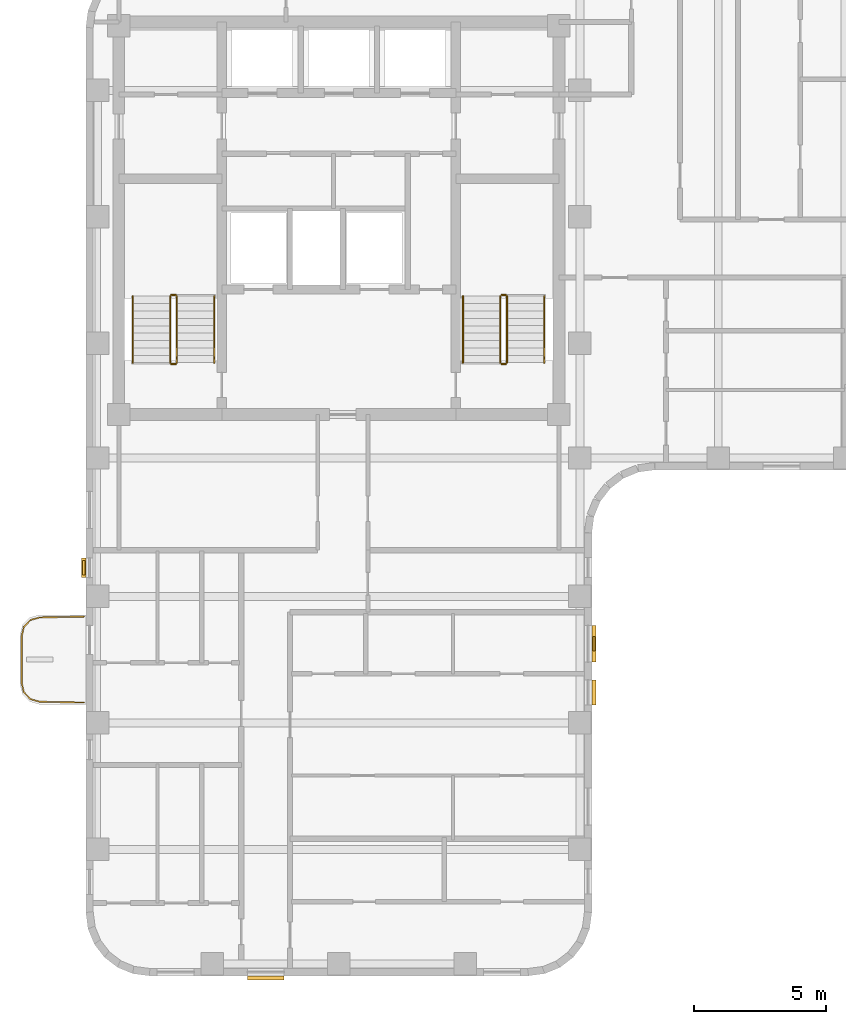
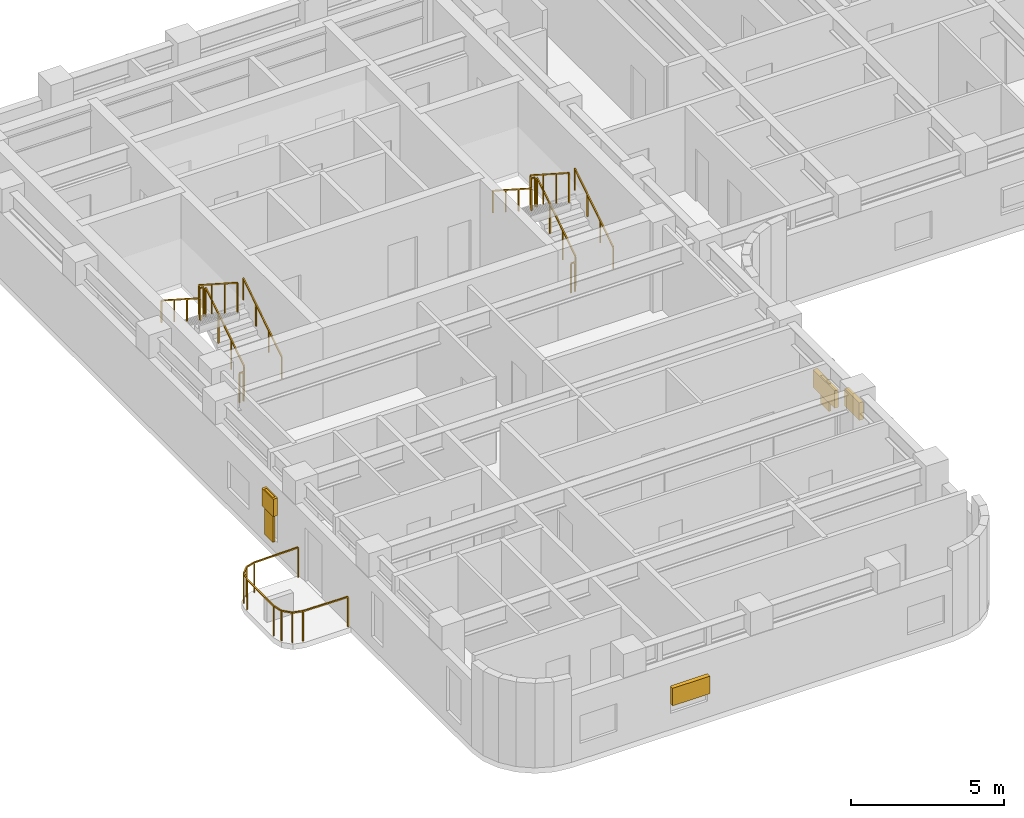
# One storey, part 8 of 10: 13 railings, 6 shading devices.
"""IFC4 building model written with IfcOpenShell, lengths in metres."""

import ifcopenshell
import ifcopenshell.guid

model = None  # the IFC model being written
_history = None  # IfcOwnerHistory: only IFC2X3 demands one
_inside = {}  # id of a spatial element -> (the spatial element, [elements in it])
_under = {}  # id of a project, library or spatial element -> (it, [spatial elements below it])
_declared = {}  # id of a project -> (the project, [libraries it declares])
_typed = {}  # id of a type object -> (the type object, [elements of that type])
_made_of = {}  # id of a material, layer set ... -> (it, [elements and type objects made of it])


def new_model(schema):
    """Start an empty IFC model of exactly this schema.

    Asked for "IFC4X3", IfcOpenShell would pick the latest addendum, in which some entities
    have other attributes; the version numbers below select the first issue.
    IFC2X3 requires an IfcOwnerHistory on every rooted entity: one is made here for all.
    """
    global model, _history
    if schema == "IFC4X3":
        model = ifcopenshell.file(schema_version=(4, 3, 0, 0))
    else:
        model = ifcopenshell.file(schema=schema)
    _inside.clear()
    _under.clear()
    _declared.clear()
    _typed.clear()
    _made_of.clear()
    _history = None
    if model.schema == "IFC2X3":
        org = make("IfcOrganization", Name="unknown")
        user = make(
            "IfcPersonAndOrganization",
            ThePerson=make("IfcPerson", FamilyName="unknown"),
            TheOrganization=org,
        )
        app = make(
            "IfcApplication",
            ApplicationDeveloper=org,
            Version="unknown",
            ApplicationFullName="unknown",
            ApplicationIdentifier="unknown",
        )
        _history = make(
            "IfcOwnerHistory",
            OwningUser=user,
            OwningApplication=app,
            ChangeAction="ADDED",
            CreationDate=0,
        )
    return model


def make(cls, **values):
    """One entity of the class cls with the attributes given. An attribute that is None is left unset."""
    return model.create_entity(
        cls, **{name: value for name, value in values.items() if value is not None}
    )


def rooted(cls, **values):
    """An entity with a GlobalId (a new one), such as an element, a storey or a relation."""
    return make(cls, GlobalId=ifcopenshell.guid.new(), OwnerHistory=_history, **values)


def si_unit(unit_type, name, prefix=None):
    """IfcSIUnit, for example si_unit("LENGTHUNIT", "METRE", prefix="MILLI")."""
    return make("IfcSIUnit", UnitType=unit_type, Prefix=prefix, Name=name)


def assignment(units):
    """IfcUnitAssignment: the units of a project."""
    return None if units is None else make("IfcUnitAssignment", Units=units)


def point(xyz):
    """IfcCartesianPoint."""
    return None if xyz is None else make("IfcCartesianPoint", Coordinates=xyz)


def direction(xyz):
    """IfcDirection."""
    return None if xyz is None else make("IfcDirection", DirectionRatios=xyz)


def frame(location, z_axis=None, x_axis=None):
    """IfcAxis2Placement3D, a coordinate frame: its origin and axes. An axis left out is left unset."""
    return make(
        "IfcAxis2Placement3D",
        Location=point(location),
        Axis=direction(z_axis),
        RefDirection=direction(x_axis),
    )


def frame_2d(location, x_axis=None):
    """IfcAxis2Placement2D, a coordinate frame in the plane: its origin and x axis."""
    return make(
        "IfcAxis2Placement2D", Location=point(location), RefDirection=direction(x_axis)
    )


def origin():
    """The frame at (0, 0, 0) with its axes left unset."""
    return frame((0.0, 0.0, 0.0))


def origin_2d():
    """The frame at (0, 0) in the plane with its x axis left unset."""
    return frame_2d((0.0, 0.0))


def place(relative_to, where):
    """IfcLocalPlacement: puts the frame where relative to a parent placement (None: the world)."""
    return make(
        "IfcLocalPlacement", PlacementRelTo=relative_to, RelativePlacement=where
    )


def context(
    kind, dimensions, precision=None, world=None, true_north=None, identifier=None
):
    """IfcGeometricRepresentationContext, for example the 3D "Model" context."""
    return make(
        "IfcGeometricRepresentationContext",
        ContextIdentifier=identifier,
        ContextType=kind,
        CoordinateSpaceDimension=dimensions,
        Precision=precision,
        WorldCoordinateSystem=world,
        TrueNorth=true_north,
    )


def subcontext(parent, identifier, kind, view, scale=None):
    """IfcGeometricRepresentationSubContext, for example "Body" below "Model"."""
    return make(
        "IfcGeometricRepresentationSubContext",
        ContextIdentifier=identifier,
        ContextType=kind,
        ParentContext=parent,
        TargetScale=scale,
        TargetView=view,
    )


def project(units=None, contexts=None):
    """IfcProject with its units and contexts."""
    return rooted(
        "IfcProject",
        Name="project",
        RepresentationContexts=contexts,
        UnitsInContext=assignment(units),
    )


def spatial(cls, under=None, at=None, **own):
    """A site, building, storey or space (cls), placed at a placement, below another one or the project."""
    s = rooted(cls, ObjectPlacement=at, **own)
    if under is not None:
        _under.setdefault(under.id(), (under, []))[1].append(s)
    return s


def profile(cls, at=None, kind="AREA", **sizes):
    """A parametric profile (cls). Its sizes go by their IFC names, for example OverallWidth=200.0."""
    return make(cls, ProfileType=kind, Position=at, **sizes)


def rectangle(**sizes):
    """IfcRectangleProfileDef."""
    return profile("IfcRectangleProfileDef", **sizes)


def extrude(swept, where, along, depth):
    """IfcExtrudedAreaSolid: the profile swept, set in the frame where, extruded along a direction by depth."""
    return make(
        "IfcExtrudedAreaSolid",
        SweptArea=swept,
        Position=where,
        ExtrudedDirection=direction(along),
        Depth=depth,
    )


def shape(context_of_items, identifier, shape_type, items):
    """IfcShapeRepresentation: the items that make up one representation, for example the "Body"."""
    return make(
        "IfcShapeRepresentation",
        ContextOfItems=context_of_items,
        RepresentationIdentifier=identifier,
        RepresentationType=shape_type,
        Items=items,
    )


def material(Name=None, Category=None):
    """IfcMaterial."""
    return make("IfcMaterial", Name=Name, Category=Category)


def made_of(thing, what):
    """Note that an element or type object is made of a material, layer set ...; save() writes the relation."""
    if what is not None:
        _made_of.setdefault(what.id(), (what, []))[1].append(thing)
    return thing


def type_object(cls, material=None, **own):
    """A type object (cls), such as IfcWallType, which elements share."""
    return made_of(rooted(cls, **own), material)


def element(
    cls,
    number,
    at=None,
    inside=None,
    cuts=None,
    type_object=None,
    material=None,
    context=None,
    identifier="Body",
    shape_type=None,
    held_by="IfcProductDefinitionShape",
    body=None,
    shapes=None,
    **own,
):
    """One element of the class cls, such as IfcWall. Its Tag is "e" and its number.

    at: its placement. inside: the storey or other place that contains it. cuts: it is an
    opening in that element (IfcRelVoidsElement). A single representation is given by context,
    identifier, shape_type and body (its items); several are given by shapes. held_by: the class
    of the entity that holds the representations. save() writes the other relations.
    """
    e = rooted(cls, Tag="e%d" % number, ObjectPlacement=at, **own)
    if body is not None:
        shapes = [shape(context, identifier, shape_type, body)]
    if shapes is not None:
        e.Representation = make(held_by, Representations=shapes)
    if inside is not None:
        _inside.setdefault(inside.id(), (inside, []))[1].append(e)
    if cuts is not None:
        rooted(
            "IfcRelVoidsElement", RelatingBuildingElement=cuts, RelatedOpeningElement=e
        )
    if type_object is not None:
        _typed.setdefault(type_object.id(), (type_object, []))[1].append(e)
    return made_of(e, material)


def aggregate(whole, parts):
    """IfcRelAggregates: a whole, such as a stair, and the parts it consists of."""
    return rooted("IfcRelAggregates", RelatingObject=whole, RelatedObjects=parts)


def save(model, path):
    """Write the relations noted so far, then the file.

    IfcRelAggregates (storeys below a building ...), IfcRelContainedInSpatialStructure (elements
    in a storey), IfcRelDefinesByType, IfcRelAssociatesMaterial and IfcRelDeclares: one each for
    every whole, place, type object, material and project.
    """
    for whole, parts in _under.values():
        aggregate(whole, parts)
    for where, things in _inside.values():
        rooted(
            "IfcRelContainedInSpatialStructure",
            RelatedElements=things,
            RelatingStructure=where,
        )
    for kind, things in _typed.values():
        rooted("IfcRelDefinesByType", RelatedObjects=things, RelatingType=kind)
    for what, things in _made_of.values():
        rooted("IfcRelAssociatesMaterial", RelatedObjects=things, RelatingMaterial=what)
    for by, libraries in _declared.values():
        rooted("IfcRelDeclares", RelatingContext=by, RelatedDefinitions=libraries)
    model.write(path)


model = new_model("IFC4")

# Units and contexts
model_context = context("Model", 3, precision=1e-05, world=origin(), true_north=direction((0.0, 1.0)))
body_context = subcontext(model_context, "Body", "Model", "MODEL_VIEW")
ifc_project = project(units=[si_unit("LENGTHUNIT", "METRE"), si_unit("AREAUNIT", "SQUARE_METRE"), si_unit("VOLUMEUNIT", "CUBIC_METRE"), si_unit("PLANEANGLEUNIT", "RADIAN"), si_unit("MASSUNIT", "GRAM", prefix="KILO")], contexts=[model_context])

# Site, building, storey
site_placement = place(None, origin())
site = spatial("IfcSite", under=ifc_project, at=site_placement, CompositionType="ELEMENT")
building_placement = place(site_placement, origin())
building = spatial("IfcBuilding", under=site, at=building_placement, Name="Orvandelia Arch Residences", CompositionType="ELEMENT")
storey_placement = place(building_placement, frame((0.0, 0.0, 221.800048828125)))
storey = spatial("IfcBuildingStorey", under=building, at=storey_placement, Name="L58", CompositionType="ELEMENT", Elevation=221.800048828125)

# Railings
ifc_material_1 = material(Name="Marine-Grade Stainless Steel 316", Category="steel")
railing_type_1 = type_object("IfcRailingType", Name="GRD-BAL-1200", PredefinedType="BALUSTRADE", material=ifc_material_1)
railing_1_placement = place(storey_placement, frame((4.728271484375, 23.23046875, 0.0)))
element("IfcRailing", 1, at=railing_1_placement, inside=storey, type_object=railing_type_1, Name="Safety Balustrade Guard GRD-L58-BAL-L58-W1-1", PredefinedType="BALUSTRADE", context=body_context, shape_type="SweptSolid", body=[
    extrude(rectangle(XDim=0.048095703125, YDim=0.048095703125, at=origin_2d()), frame((0.0, 0.0, 1.19580078125), z_axis=(-0.999834751713, -0.018178813668, 0.0), x_axis=(0.018178813668, -0.999834751713, 0.0)), (0.0, 0.0, 1.0), 1.6787109375),
    extrude(rectangle(XDim=0.048095703125, YDim=0.048095703125, at=origin_2d()), frame((-1.678466796875, -0.030517578125, 1.19580078125), z_axis=(-0.96348920644, -0.267747173792, 0.0), x_axis=(0.267747173792, -0.96348920644, 0.0)), (0.0, 0.0, 1.0), 0.36572265625),
    extrude(rectangle(XDim=0.048095703125, YDim=0.048095703125, at=origin_2d()), frame((-2.03076171875, -0.12841796875, 1.19580078125), z_axis=(-0.688627404251, -0.725115368831, 0.0), x_axis=(0.725115368831, -0.688627404251, 0.0)), (0.0, 0.0, 1.0), 0.367919921875),
    extrude(rectangle(XDim=0.048095703125, YDim=0.048095703125, at=origin_2d()), frame((-2.2841796875, -0.395263671875, 1.19580078125), z_axis=(-0.220461657419, -0.975395641577, 0.0), x_axis=(0.975395641577, -0.220461657419, 0.0)), (0.0, 0.0, 1.0), 0.373291015625),
    extrude(rectangle(XDim=0.048095703125, YDim=0.048095703125, at=origin_2d()), frame((-2.366455078125, -0.75927734375, 1.19580078125), z_axis=(0.0, -1.0, 0.0), x_axis=(1.0, 0.0, 0.0)), (0.0, 0.0, 1.0), 1.742431640625),
    extrude(rectangle(XDim=0.048095703125, YDim=0.048095703125, at=origin_2d()), frame((-2.366455078125, -2.501708984375, 1.19580078125), z_axis=(0.220602419982, -0.975363815352, 0.0), x_axis=(0.975363815352, 0.220602419982, 0.0)), (0.0, 0.0, 1.0), 0.373046875),
    extrude(rectangle(XDim=0.048095703125, YDim=0.048095703125, at=origin_2d()), frame((-2.2841796875, -2.865478515625, 1.19580078125), z_axis=(0.688296224633, -0.725429739642, 0.0), x_axis=(0.725429739642, 0.688296224633, 0.0)), (0.0, 0.0, 1.0), 0.3681640625),
    extrude(rectangle(XDim=0.048095703125, YDim=0.048095703125, at=origin_2d()), frame((-2.03076171875, -3.132568359375, 1.19580078125), z_axis=(0.96348920644, -0.267747173792, 0.0), x_axis=(0.267747173792, 0.96348920644, 0.0)), (0.0, 0.0, 1.0), 0.36572265625),
    extrude(rectangle(XDim=0.048095703125, YDim=0.048095703125, at=origin_2d()), frame((-1.678466796875, -3.23046875, 1.19580078125), z_axis=(0.999834751713, -0.018178813668, 0.0), x_axis=(0.018178813668, 0.999834751713, 0.0)), (0.0, 0.0, 1.0), 1.6787109375),
    extrude(rectangle(XDim=0.0419921875, YDim=0.0419921875, at=origin_2d()), origin(), (0.0, 0.0, 1.0), 1.171875),
    extrude(rectangle(XDim=0.0419921875, YDim=0.0419921875, at=origin_2d()), frame((-1.678466796875, -0.030517578125, 0.0)), (0.0, 0.0, 1.0), 1.171875),
    extrude(rectangle(XDim=0.0419921875, YDim=0.0419921875, at=origin_2d()), frame((-2.03076171875, -0.12841796875, 0.0)), (0.0, 0.0, 1.0), 1.171875),
    extrude(rectangle(XDim=0.0419921875, YDim=0.0419921875, at=origin_2d()), frame((-2.2841796875, -0.395263671875, 0.0)), (0.0, 0.0, 1.0), 1.171875),
    extrude(rectangle(XDim=0.0419921875, YDim=0.0419921875, at=origin_2d()), frame((-2.366455078125, -0.75927734375, 0.0)), (0.0, 0.0, 1.0), 1.171875),
    extrude(rectangle(XDim=0.0419921875, YDim=0.0419921875, at=origin_2d()), frame((-2.366455078125, -2.501708984375, 0.0)), (0.0, 0.0, 1.0), 1.171875),
    extrude(rectangle(XDim=0.0419921875, YDim=0.0419921875, at=origin_2d()), frame((-2.2841796875, -2.865478515625, 0.0)), (0.0, 0.0, 1.0), 1.171875),
    extrude(rectangle(XDim=0.0419921875, YDim=0.0419921875, at=origin_2d()), frame((-2.03076171875, -3.132568359375, 0.0)), (0.0, 0.0, 1.0), 1.171875),
    extrude(rectangle(XDim=0.0419921875, YDim=0.0419921875, at=origin_2d()), frame((-1.678466796875, -3.23046875, 0.0)), (0.0, 0.0, 1.0), 1.171875),
    extrude(rectangle(XDim=0.0419921875, YDim=0.0419921875, at=origin_2d()), frame((0.0, -3.260986328125, 0.0)), (0.0, 0.0, 1.0), 1.171875),
])
ifc_material_2 = material(Name="Brushed Stainless Steel 304", Category="steel")
railing_type_2 = type_object("IfcRailingType", Name="RL-STAIR-GD1120", PredefinedType="GUARDRAIL", material=ifc_material_2)
railing_2_placement = place(storey_placement, frame((8.25, 32.8701171875, 0.179931640625)))
element("IfcRailing", 2, at=railing_2_placement, inside=storey, type_object=railing_type_2, Name="L58 ST-1 stair guard 1", PredefinedType="GUARDRAIL", context=body_context, shape_type="SweptSolid", body=[
    extrude(rectangle(XDim=0.048095703125, YDim=0.048095703125, at=origin_2d()), frame((0.0, 0.0, 1.17578125), z_axis=(0.0, 0.841138753965, 0.540819375188), x_axis=(-1.0, 0.0, 0.0)), (0.0, 0.0, 1.0), 2.99560546875),
    extrude(rectangle(XDim=0.0419921875, YDim=0.0419921875, at=origin_2d()), origin(), (0.0, 0.0, 1.0), 1.15185546875),
    extrude(rectangle(XDim=0.0419921875, YDim=0.0419921875, at=origin_2d()), frame((0.0, 0.83984375, 0.5400390625)), (0.0, 0.0, 1.0), 1.15185546875),
    extrude(rectangle(XDim=0.0419921875, YDim=0.0419921875, at=origin_2d()), frame((0.0, 1.679931640625, 1.080078125)), (0.0, 0.0, 1.0), 1.15185546875),
    extrude(rectangle(XDim=0.0419921875, YDim=0.0419921875, at=origin_2d()), frame((0.0, 2.519775390625, 1.6201171875)), (0.0, 0.0, 1.0), 1.15185546875),
])
railing_3_placement = place(storey_placement, frame((8.199951171875, 35.43994140625, 1.800048828125)))
element("IfcRailing", 3, at=railing_3_placement, inside=storey, type_object=railing_type_2, Name="L58 ST-1 stair guard 2", PredefinedType="GUARDRAIL", context=body_context, shape_type="SweptSolid", body=[
    extrude(rectangle(XDim=0.048095703125, YDim=0.048095703125, at=origin_2d()), frame((0.0, 0.0, 1.17578125), z_axis=(-1.0, 0.0, 0.0), x_axis=(0.0, -1.0, 0.0)), (0.0, 0.0, 1.0), 0.14990234375),
    extrude(rectangle(XDim=0.0419921875, YDim=0.0419921875, at=origin_2d()), origin(), (0.0, 0.0, 1.0), 1.15185546875),
    extrude(rectangle(XDim=0.0419921875, YDim=0.0419921875, at=origin_2d()), frame((-0.14990234375, 0.0, 0.0)), (0.0, 0.0, 1.0), 1.15185546875),
])
railing_4_placement = place(storey_placement, frame((8.0, 35.389892578125, 1.97998046875)))
element("IfcRailing", 4, at=railing_4_placement, inside=storey, type_object=railing_type_2, Name="L58 ST-1 stair guard 3", PredefinedType="GUARDRAIL", context=body_context, shape_type="SweptSolid", body=[
    extrude(rectangle(XDim=0.048095703125, YDim=0.048095703125, at=origin_2d()), frame((0.0, 0.0, 1.17578125), z_axis=(0.0, -0.841175827307, 0.540761710511), x_axis=(1.0, 0.0, 0.0)), (0.0, 0.0, 1.0), 2.99560546875),
    extrude(rectangle(XDim=0.0419921875, YDim=0.0419921875, at=origin_2d()), origin(), (0.0, 0.0, 1.0), 1.15185546875),
    extrude(rectangle(XDim=0.0419921875, YDim=0.0419921875, at=origin_2d()), frame((0.0, -0.83984375, 0.5400390625)), (0.0, 0.0, 1.0), 1.15185546875),
    extrude(rectangle(XDim=0.0419921875, YDim=0.0419921875, at=origin_2d()), frame((0.0, -1.679931640625, 1.079833984375)), (0.0, 0.0, 1.0), 1.15185546875),
    extrude(rectangle(XDim=0.0419921875, YDim=0.0419921875, at=origin_2d()), frame((0.0, -2.519775390625, 1.619873046875)), (0.0, 0.0, 1.0), 1.15185546875),
])
railing_5_placement = place(storey_placement, frame((8.199951171875, 32.820068359375, 0.0)))
element("IfcRailing", 5, at=railing_5_placement, inside=storey, type_object=railing_type_2, Name="L58 ST-1 stair guard 4", PredefinedType="GUARDRAIL", context=body_context, shape_type="SweptSolid", body=[
    extrude(rectangle(XDim=0.048095703125, YDim=0.048095703125, at=origin_2d()), frame((0.0, 0.0, 1.17578125), z_axis=(-1.0, 0.0, 0.0), x_axis=(0.0, -1.0, 0.0)), (0.0, 0.0, 1.0), 0.14990234375),
    extrude(rectangle(XDim=0.0419921875, YDim=0.0419921875, at=origin_2d()), origin(), (0.0, 0.0, 1.0), 1.15185546875),
    extrude(rectangle(XDim=0.0419921875, YDim=0.0419921875, at=origin_2d()), frame((-0.14990234375, 0.0, 0.0)), (0.0, 0.0, 1.0), 1.15185546875),
])
railing_6_placement = place(storey_placement, frame((20.780029296875, 32.8701171875, 0.179931640625)))
element("IfcRailing", 6, at=railing_6_placement, inside=storey, type_object=railing_type_2, Name="L58 ST-2 stair guard 1", PredefinedType="GUARDRAIL", context=body_context, shape_type="SweptSolid", body=[
    extrude(rectangle(XDim=0.048095703125, YDim=0.048095703125, at=origin_2d()), frame((0.0, 0.0, 1.17578125), z_axis=(0.0, 0.841138753965, 0.540819375188), x_axis=(-1.0, 0.0, 0.0)), (0.0, 0.0, 1.0), 2.99560546875),
    extrude(rectangle(XDim=0.0419921875, YDim=0.0419921875, at=origin_2d()), origin(), (0.0, 0.0, 1.0), 1.15185546875),
    extrude(rectangle(XDim=0.0419921875, YDim=0.0419921875, at=origin_2d()), frame((0.0, 0.83984375, 0.5400390625)), (0.0, 0.0, 1.0), 1.15185546875),
    extrude(rectangle(XDim=0.0419921875, YDim=0.0419921875, at=origin_2d()), frame((0.0, 1.679931640625, 1.080078125)), (0.0, 0.0, 1.0), 1.15185546875),
    extrude(rectangle(XDim=0.0419921875, YDim=0.0419921875, at=origin_2d()), frame((0.0, 2.519775390625, 1.6201171875)), (0.0, 0.0, 1.0), 1.15185546875),
])
railing_7_placement = place(storey_placement, frame((20.72998046875, 35.43994140625, 1.800048828125)))
element("IfcRailing", 7, at=railing_7_placement, inside=storey, type_object=railing_type_2, Name="L58 ST-2 stair guard 2", PredefinedType="GUARDRAIL", context=body_context, shape_type="SweptSolid", body=[
    extrude(rectangle(XDim=0.048095703125, YDim=0.048095703125, at=origin_2d()), frame((0.0, 0.0, 1.17578125), z_axis=(-1.0, 0.0, 0.0), x_axis=(0.0, -1.0, 0.0)), (0.0, 0.0, 1.0), 0.14990234375),
    extrude(rectangle(XDim=0.0419921875, YDim=0.0419921875, at=origin_2d()), origin(), (0.0, 0.0, 1.0), 1.15185546875),
    extrude(rectangle(XDim=0.0419921875, YDim=0.0419921875, at=origin_2d()), frame((-0.14990234375, 0.0, 0.0)), (0.0, 0.0, 1.0), 1.15185546875),
])
railing_8_placement = place(storey_placement, frame((20.530029296875, 35.389892578125, 1.97998046875)))
element("IfcRailing", 8, at=railing_8_placement, inside=storey, type_object=railing_type_2, Name="L58 ST-2 stair guard 3", PredefinedType="GUARDRAIL", context=body_context, shape_type="SweptSolid", body=[
    extrude(rectangle(XDim=0.048095703125, YDim=0.048095703125, at=origin_2d()), frame((0.0, 0.0, 1.17578125), z_axis=(0.0, -0.841175827307, 0.540761710511), x_axis=(1.0, 0.0, 0.0)), (0.0, 0.0, 1.0), 2.99560546875),
    extrude(rectangle(XDim=0.0419921875, YDim=0.0419921875, at=origin_2d()), origin(), (0.0, 0.0, 1.0), 1.15185546875),
    extrude(rectangle(XDim=0.0419921875, YDim=0.0419921875, at=origin_2d()), frame((0.0, -0.83984375, 0.5400390625)), (0.0, 0.0, 1.0), 1.15185546875),
    extrude(rectangle(XDim=0.0419921875, YDim=0.0419921875, at=origin_2d()), frame((0.0, -1.679931640625, 1.079833984375)), (0.0, 0.0, 1.0), 1.15185546875),
    extrude(rectangle(XDim=0.0419921875, YDim=0.0419921875, at=origin_2d()), frame((0.0, -2.519775390625, 1.619873046875)), (0.0, 0.0, 1.0), 1.15185546875),
])
railing_9_placement = place(storey_placement, frame((20.72998046875, 32.820068359375, 0.0)))
element("IfcRailing", 9, at=railing_9_placement, inside=storey, type_object=railing_type_2, Name="L58 ST-2 stair guard 4", PredefinedType="GUARDRAIL", context=body_context, shape_type="SweptSolid", body=[
    extrude(rectangle(XDim=0.048095703125, YDim=0.048095703125, at=origin_2d()), frame((0.0, 0.0, 1.17578125), z_axis=(-1.0, 0.0, 0.0), x_axis=(0.0, -1.0, 0.0)), (0.0, 0.0, 1.0), 0.14990234375),
    extrude(rectangle(XDim=0.0419921875, YDim=0.0419921875, at=origin_2d()), origin(), (0.0, 0.0, 1.0), 1.15185546875),
    extrude(rectangle(XDim=0.0419921875, YDim=0.0419921875, at=origin_2d()), frame((-0.14990234375, 0.0, 0.0)), (0.0, 0.0, 1.0), 1.15185546875),
])
railing_type_3 = type_object("IfcRailingType", Name="RL-STAIR-HR920", PredefinedType="HANDRAIL", material=ifc_material_2)
railing_10_placement = place(storey_placement, frame((9.669921875, 32.8701171875, 0.35986328125)))
element("IfcRailing", 10, at=railing_10_placement, inside=storey, type_object=railing_type_3, Name="L58 ST-1 stair handrail 1", PredefinedType="HANDRAIL", context=body_context, shape_type="SweptSolid", body=[
    extrude(rectangle(XDim=0.048095703125, YDim=0.048095703125, at=origin_2d()), frame((0.0, 0.0, 0.8759765625), z_axis=(0.0, 0.841138753965, 0.540819375188), x_axis=(-1.0, 0.0, 0.0)), (0.0, 0.0, 1.0), 2.99560546875),
    extrude(rectangle(XDim=0.0419921875, YDim=0.0419921875, at=origin_2d()), origin(), (0.0, 0.0, 1.0), 0.851806640625),
    extrude(rectangle(XDim=0.0419921875, YDim=0.0419921875, at=origin_2d()), frame((0.0, 0.83984375, 0.5400390625)), (0.0, 0.0, 1.0), 0.851806640625),
    extrude(rectangle(XDim=0.0419921875, YDim=0.0419921875, at=origin_2d()), frame((0.0, 1.679931640625, 1.080078125)), (0.0, 0.0, 1.0), 0.851806640625),
    extrude(rectangle(XDim=0.0419921875, YDim=0.0419921875, at=origin_2d()), frame((0.0, 2.519775390625, 1.6201171875)), (0.0, 0.0, 1.0), 0.851806640625),
])
railing_11_placement = place(storey_placement, frame((6.580078125, 35.389892578125, 2.159912109375)))
element("IfcRailing", 11, at=railing_11_placement, inside=storey, type_object=railing_type_3, Name="L58 ST-1 stair handrail 2", PredefinedType="HANDRAIL", context=body_context, shape_type="SweptSolid", body=[
    extrude(rectangle(XDim=0.048095703125, YDim=0.048095703125, at=origin_2d()), frame((0.0, 0.0, 0.8759765625), z_axis=(0.0, -0.841138753965, 0.540819375188), x_axis=(1.0, 0.0, 0.0)), (0.0, 0.0, 1.0), 2.99560546875),
    extrude(rectangle(XDim=0.0419921875, YDim=0.0419921875, at=origin_2d()), origin(), (0.0, 0.0, 1.0), 0.851806640625),
    extrude(rectangle(XDim=0.0419921875, YDim=0.0419921875, at=origin_2d()), frame((0.0, -0.83984375, 0.5400390625)), (0.0, 0.0, 1.0), 0.851806640625),
    extrude(rectangle(XDim=0.0419921875, YDim=0.0419921875, at=origin_2d()), frame((0.0, -1.679931640625, 1.080078125)), (0.0, 0.0, 1.0), 0.851806640625),
    extrude(rectangle(XDim=0.0419921875, YDim=0.0419921875, at=origin_2d()), frame((0.0, -2.519775390625, 1.6201171875)), (0.0, 0.0, 1.0), 0.851806640625),
])
railing_12_placement = place(storey_placement, frame((22.199951171875, 32.8701171875, 0.35986328125)))
element("IfcRailing", 12, at=railing_12_placement, inside=storey, type_object=railing_type_3, Name="L58 ST-2 stair handrail 1", PredefinedType="HANDRAIL", context=body_context, shape_type="SweptSolid", body=[
    extrude(rectangle(XDim=0.048095703125, YDim=0.048095703125, at=origin_2d()), frame((0.0, 0.0, 0.8759765625), z_axis=(0.0, 0.841138753965, 0.540819375188), x_axis=(-1.0, 0.0, 0.0)), (0.0, 0.0, 1.0), 2.99560546875),
    extrude(rectangle(XDim=0.0419921875, YDim=0.0419921875, at=origin_2d()), origin(), (0.0, 0.0, 1.0), 0.851806640625),
    extrude(rectangle(XDim=0.0419921875, YDim=0.0419921875, at=origin_2d()), frame((0.0, 0.83984375, 0.5400390625)), (0.0, 0.0, 1.0), 0.851806640625),
    extrude(rectangle(XDim=0.0419921875, YDim=0.0419921875, at=origin_2d()), frame((0.0, 1.679931640625, 1.080078125)), (0.0, 0.0, 1.0), 0.851806640625),
    extrude(rectangle(XDim=0.0419921875, YDim=0.0419921875, at=origin_2d()), frame((0.0, 2.519775390625, 1.6201171875)), (0.0, 0.0, 1.0), 0.851806640625),
])
railing_13_placement = place(storey_placement, frame((19.110107421875, 35.389892578125, 2.159912109375)))
element("IfcRailing", 13, at=railing_13_placement, inside=storey, type_object=railing_type_3, Name="L58 ST-2 stair handrail 2", PredefinedType="HANDRAIL", context=body_context, shape_type="SweptSolid", body=[
    extrude(rectangle(XDim=0.048095703125, YDim=0.048095703125, at=origin_2d()), frame((0.0, 0.0, 0.8759765625), z_axis=(0.0, -0.841138753965, 0.540819375188), x_axis=(1.0, 0.0, 0.0)), (0.0, 0.0, 1.0), 2.99560546875),
    extrude(rectangle(XDim=0.0419921875, YDim=0.0419921875, at=origin_2d()), origin(), (0.0, 0.0, 1.0), 0.851806640625),
    extrude(rectangle(XDim=0.0419921875, YDim=0.0419921875, at=origin_2d()), frame((0.0, -0.83984375, 0.5400390625)), (0.0, 0.0, 1.0), 0.851806640625),
    extrude(rectangle(XDim=0.0419921875, YDim=0.0419921875, at=origin_2d()), frame((0.0, -1.679931640625, 1.080078125)), (0.0, 0.0, 1.0), 0.851806640625),
    extrude(rectangle(XDim=0.0419921875, YDim=0.0419921875, at=origin_2d()), frame((0.0, -2.519775390625, 1.6201171875)), (0.0, 0.0, 1.0), 0.851806640625),
])

# Shading devices
ifc_material_3 = material(Name="Anodised Champagne-Bronze Extruded Aluminium", Category="aluminium")
shading_device_type_1 = type_object("IfcShadingDeviceType", Name="SHD-JALOUSIE-SCREEN", PredefinedType="JALOUSIE", material=ifc_material_3)
shading_device_1_placement = place(storey_placement, frame((24.080078125, 22.199951171875, 1.0498046875), z_axis=(0.0, 0.0, 1.0), x_axis=(0.0, -1.0, 0.0)))
element("IfcShadingDevice", 14, at=shading_device_1_placement, inside=storey, type_object=shading_device_type_1, Name="Bronze Jalousie Sun-Shade L58-006", PredefinedType="JALOUSIE", context=body_context, shape_type="SweptSolid", body=[
    extrude(rectangle(XDim=1.39990234375, YDim=0.159912109375, at=origin_2d()), origin(), (0.0, 0.0, 1.0), 0.699951171875),
])
shading_device_2_placement = place(storey_placement, frame((24.080078125, 20.3525390625, 1.5498046875), z_axis=(0.0, 0.0, 1.0), x_axis=(0.0, -1.0, 0.0)))
element("IfcShadingDevice", 15, at=shading_device_2_placement, inside=storey, type_object=shading_device_type_1, Name="Bronze Jalousie Sun-Shade L58-007", PredefinedType="JALOUSIE", context=body_context, shape_type="SweptSolid", body=[
    extrude(rectangle(XDim=0.949951171875, YDim=0.159912109375, at=origin_2d()), origin(), (0.0, 0.0, 1.0), 0.699951171875),
])
shading_device_3_placement = place(storey_placement, frame((11.625, 9.52001953125, 1.0498046875), z_axis=(0.0, 0.0, 1.0), x_axis=(-1.0, 0.0, 0.0)))
element("IfcShadingDevice", 16, at=shading_device_3_placement, inside=storey, type_object=shading_device_type_1, Name="Bronze Jalousie Sun-Shade L58-008", PredefinedType="JALOUSIE", context=body_context, shape_type="SweptSolid", body=[
    extrude(rectangle(XDim=1.39990234375, YDim=0.159912109375, at=origin_2d()), origin(), (0.0, 0.0, 1.0), 0.699951171875),
])
shading_device_4_placement = place(storey_placement, frame((4.719970703125, 25.08251953125, 1.5498046875), z_axis=(0.0, 0.0, 1.0), x_axis=(0.0, 1.0, 0.0)))
element("IfcShadingDevice", 17, at=shading_device_4_placement, inside=storey, type_object=shading_device_type_1, Name="Bronze Jalousie Sun-Shade L58-009", PredefinedType="JALOUSIE", context=body_context, shape_type="SweptSolid", body=[
    extrude(rectangle(XDim=0.75, YDim=0.159912109375, at=origin_2d()), origin(), (0.0, 0.0, 1.0), 0.699951171875),
])
ifc_material_4 = material(Name="Marine-Grade Perforated Aluminium Storm Shutter", Category="aluminium")
shading_device_type_2 = type_object("IfcShadingDeviceType", Name="SHD-STORM-SHUTTER", PredefinedType="SHUTTER", material=ifc_material_4)
shading_device_5_placement = place(storey_placement, frame((24.080078125, 22.199951171875, 0.64990234375), z_axis=(0.0, 0.0, 1.0), x_axis=(0.0, -1.0, 0.0)))
element("IfcShadingDevice", 18, at=shading_device_5_placement, inside=storey, type_object=shading_device_type_2, Name="Operable Typhoon Storm Shutter L58-006", PredefinedType="SHUTTER", context=body_context, shape_type="SweptSolid", body=[
    extrude(rectangle(XDim=0.550048828125, YDim=0.080078125, at=origin_2d()), origin(), (0.0, 0.0, 1.0), 1.10009765625),
])
shading_device_6_placement = place(storey_placement, frame((4.719970703125, 25.08251953125, 0.44970703125), z_axis=(0.0, 0.0, 1.0), x_axis=(0.0, 1.0, 0.0)))
element("IfcShadingDevice", 19, at=shading_device_6_placement, inside=storey, type_object=shading_device_type_2, Name="Operable Typhoon Storm Shutter L58-009", PredefinedType="SHUTTER", context=body_context, shape_type="SweptSolid", body=[
    extrude(rectangle(XDim=0.550048828125, YDim=0.080078125, at=origin_2d()), origin(), (0.0, 0.0, 1.0), 1.800048828125),
])

save(model, "model.ifc")
